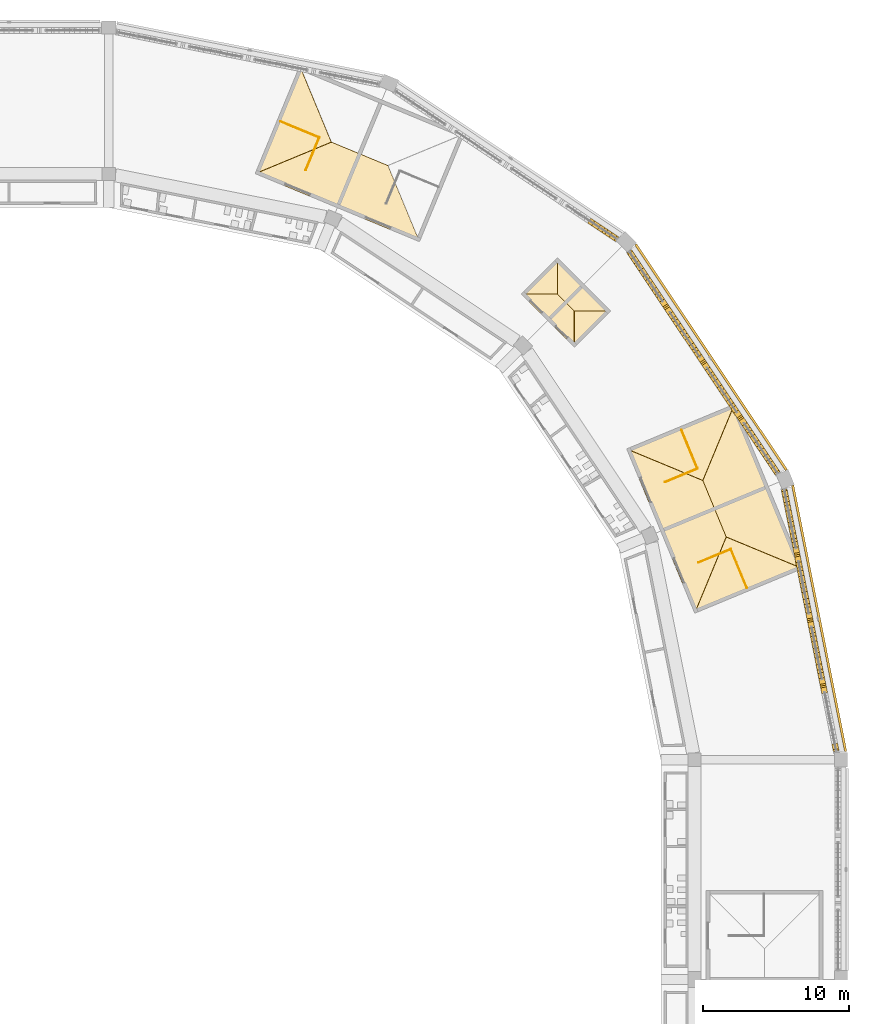
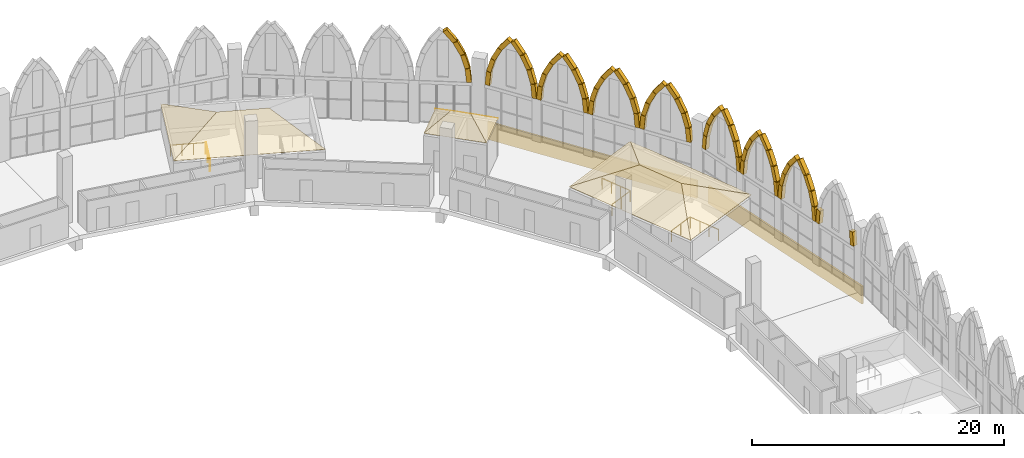
# One storey, part 120 of 130: 74 coverings, 6 railings.
"""IFC4 building model written with IfcOpenShell, lengths in metres."""

from ifc_helpers import new_model, si_unit, direction, frame, origin, origin_2d, place, context, subcontext, project, spatial, polyline, rectangle, circle, outline, extrude, material, layer, layer_set, material_profile, profile_set, type_object, element, save


model = new_model("IFC4")

# Units and contexts
model_context = context("Model", 3, precision=1e-05, world=origin(), true_north=direction((0.0, 1.0)))
body_context = subcontext(model_context, "Body", "Model", "MODEL_VIEW")
ifc_project = project(units=[si_unit("LENGTHUNIT", "METRE"), si_unit("AREAUNIT", "SQUARE_METRE"), si_unit("VOLUMEUNIT", "CUBIC_METRE"), si_unit("PLANEANGLEUNIT", "RADIAN"), si_unit("MASSUNIT", "GRAM", prefix="KILO")], contexts=[model_context])

# Site, building, storey
site_placement = place(None, origin())
site = spatial("IfcSite", under=ifc_project, at=site_placement, CompositionType="ELEMENT")
building_placement = place(site_placement, origin())
building = spatial("IfcBuilding", under=site, at=building_placement, Name="Ogive Plaza Stadium", CompositionType="ELEMENT")
storey_placement = place(building_placement, frame((0.0, 0.0, 22.5)))
storey = spatial("IfcBuildingStorey", under=building, at=storey_placement, Name="L05", CompositionType="ELEMENT", Elevation=22.5)

# Railings
ifc_material_1 = material(Name="Steel ASTM A572 Grade 50", Category="steel")
railing_type = type_object("IfcRailingType", Name="Guard 1100", PredefinedType="GUARDRAIL", material=ifc_material_1)
railing_1_placement = place(storey_placement, frame((47.4580078125, 92.764892578125, 0.0)))
element("IfcRailing", 1, at=railing_1_placement, inside=storey, type_object=railing_type, Name="Stair well guard ST38B L05", PredefinedType="GUARDRAIL", context=body_context, shape_type="SweptSolid", body=[
    extrude(circle(Radius=0.02392578125, at=origin_2d()), frame((0.0, 0.0, 1.076171875), z_axis=(0.382693194178, 0.923875488976, 0.0), x_axis=(-0.923875488976, 0.382693194178, 0.0)), (0.0, 0.0, 1.0), 2.39990234375),
    extrude(circle(Radius=0.02099609375, at=origin_2d()), origin(), (0.0, 0.0, 1.0), 1.052001953125),
    extrude(circle(Radius=0.02099609375, at=origin_2d()), frame((0.459228515625, 1.108642578125, 0.0)), (0.0, 0.0, 1.0), 1.052001953125),
    extrude(circle(Radius=0.02099609375, at=origin_2d()), frame((0.91845703125, 2.21728515625, 0.0)), (0.0, 0.0, 1.0), 1.052001953125),
])
railing_2_placement = place(storey_placement, frame((48.330322265625, 95.001220703125, 0.0)))
element("IfcRailing", 2, at=railing_2_placement, inside=storey, type_object=railing_type, Name="Stair guard ST38B L05", PredefinedType="GUARDRAIL", context=body_context, shape_type="SweptSolid", body=[
    extrude(circle(Radius=0.02392578125, at=origin_2d()), frame((0.0, 0.0, 1.076171875), z_axis=(-0.923879745429, 0.382682918336, 0.0), x_axis=(-0.382682918336, -0.923879745429, 0.0)), (0.0, 0.0, 1.0), 2.800048828125),
    extrude(circle(Radius=0.02099609375, at=origin_2d()), origin(), (0.0, 0.0, 1.0), 1.052001953125),
    extrude(circle(Radius=0.02099609375, at=origin_2d()), frame((-0.8623046875, 0.357177734375, 0.0)), (0.0, 0.0, 1.0), 1.052001953125),
    extrude(circle(Radius=0.02099609375, at=origin_2d()), frame((-1.724609375, 0.71435546875, 0.0)), (0.0, 0.0, 1.0), 1.052001953125),
    extrude(circle(Radius=0.02099609375, at=origin_2d()), frame((-2.5869140625, 1.071533203125, 0.0)), (0.0, 0.0, 1.0), 1.052001953125),
])
railing_3_placement = place(storey_placement, frame((74.264892578125, 65.9580078125, 0.0)))
element("IfcRailing", 3, at=railing_3_placement, inside=storey, type_object=railing_type, Name="Stair well guard ST40A L05", PredefinedType="GUARDRAIL", context=body_context, shape_type="SweptSolid", body=[
    extrude(circle(Radius=0.02392578125, at=origin_2d()), frame((0.0, 0.0, 1.076171875), z_axis=(0.923875488976, 0.382693194178, 0.0), x_axis=(-0.382693194178, 0.923875488976, 0.0)), (0.0, 0.0, 1.0), 2.39990234375),
    extrude(circle(Radius=0.02099609375, at=origin_2d()), origin(), (0.0, 0.0, 1.0), 1.052001953125),
    extrude(circle(Radius=0.02099609375, at=origin_2d()), frame((1.108642578125, 0.459228515625, 0.0)), (0.0, 0.0, 1.0), 1.052001953125),
    extrude(circle(Radius=0.02099609375, at=origin_2d()), frame((2.21728515625, 0.91845703125, 0.0)), (0.0, 0.0, 1.0), 1.052001953125),
])
railing_4_placement = place(storey_placement, frame((77.57275390625, 64.243408203125, 0.0)))
element("IfcRailing", 4, at=railing_4_placement, inside=storey, type_object=railing_type, Name="Stair guard ST40A L05", PredefinedType="GUARDRAIL", context=body_context, shape_type="SweptSolid", body=[
    extrude(circle(Radius=0.02392578125, at=origin_2d()), frame((0.0, 0.0, 1.076171875), z_axis=(-0.382682918336, 0.923879745429, 0.0), x_axis=(-0.923879745429, -0.382682918336, 0.0)), (0.0, 0.0, 1.0), 2.800048828125),
    extrude(circle(Radius=0.02099609375, at=origin_2d()), origin(), (0.0, 0.0, 1.0), 1.052001953125),
    extrude(circle(Radius=0.02099609375, at=origin_2d()), frame((-0.357177734375, 0.8623046875, 0.0)), (0.0, 0.0, 1.0), 1.052001953125),
    extrude(circle(Radius=0.02099609375, at=origin_2d()), frame((-0.71435546875, 1.724609375, 0.0)), (0.0, 0.0, 1.0), 1.052001953125),
    extrude(circle(Radius=0.02099609375, at=origin_2d()), frame((-1.071533203125, 2.5869140625, 0.0)), (0.0, 0.0, 1.0), 1.052001953125),
])
railing_5_placement = place(storey_placement, frame((71.98779296875, 71.455078125, 0.0)))
element("IfcRailing", 5, at=railing_5_placement, inside=storey, type_object=railing_type, Name="Stair well guard ST40B L05", PredefinedType="GUARDRAIL", context=body_context, shape_type="SweptSolid", body=[
    extrude(circle(Radius=0.02392578125, at=origin_2d()), frame((0.0, 0.0, 1.076171875), z_axis=(0.923875488976, 0.382693194178, 0.0), x_axis=(-0.382693194178, 0.923875488976, 0.0)), (0.0, 0.0, 1.0), 2.39990234375),
    extrude(circle(Radius=0.02099609375, at=origin_2d()), origin(), (0.0, 0.0, 1.0), 1.052001953125),
    extrude(circle(Radius=0.02099609375, at=origin_2d()), frame((1.108642578125, 0.459228515625, 0.0)), (0.0, 0.0, 1.0), 1.052001953125),
    extrude(circle(Radius=0.02099609375, at=origin_2d()), frame((2.21728515625, 0.91845703125, 0.0)), (0.0, 0.0, 1.0), 1.052001953125),
])
railing_6_placement = place(storey_placement, frame((74.18603515625, 72.419921875, 0.0)))
element("IfcRailing", 6, at=railing_6_placement, inside=storey, type_object=railing_type, Name="Stair guard ST40B L05", PredefinedType="GUARDRAIL", context=body_context, shape_type="SweptSolid", body=[
    extrude(circle(Radius=0.02392578125, at=origin_2d()), frame((0.0, 0.0, 1.076171875), z_axis=(-0.382713747376, 0.92386697504, 0.0), x_axis=(-0.92386697504, -0.382713747376, 0.0)), (0.0, 0.0, 1.0), 2.7998046875),
    extrude(circle(Radius=0.02099609375, at=origin_2d()), origin(), (0.0, 0.0, 1.0), 1.052001953125),
    extrude(circle(Radius=0.02099609375, at=origin_2d()), frame((-0.357177734375, 0.8623046875, 0.0)), (0.0, 0.0, 1.0), 1.052001953125),
    extrude(circle(Radius=0.02099609375, at=origin_2d()), frame((-0.71435546875, 1.724365234375, 0.0)), (0.0, 0.0, 1.0), 1.052001953125),
    extrude(circle(Radius=0.02099609375, at=origin_2d()), frame((-1.071533203125, 2.586669921875, 0.0)), (0.0, 0.0, 1.0), 1.052001953125),
])

# Coverings
ifc_material_2 = material(Name="Zinc sheet", Category="metal")
ifc_layer_1 = layer(ifc_material_2, 0.030029296875)
ifc_layer_set_1 = layer_set([ifc_layer_1], Name="Overrun roof zinc 30")
covering_type_1 = type_object("IfcCoveringType", Name="Overrun roof zinc 30", PredefinedType="ROOFING", material=ifc_layer_set_1)
covering_1_placement = place(storey_placement, frame((68.277099609375, 83.135498046875, 3.6240234375), z_axis=(0.42167717057, 0.42167717057, 0.802730794003), x_axis=(-0.707106781187, 0.707106781187, 0.0)))
element("IfcCovering", 7, at=covering_1_placement, inside=storey, type_object=covering_type_1, Name="Lift overrun roof facet LP39 1", PredefinedType="ROOFING", context=body_context, shape_type="SweptSolid", body=[
    extrude(outline(polyline([(0.0, 0.0), (5.150002318446554, 0.0), (3.4000166151047493, 2.1800405770099553), (1.749985703341805, 2.1800405770099553), (0.0, 0.0)])), origin(), (0.0, 0.0, -1.0), 0.030029296875),
])
covering_2_placement = place(storey_placement, frame((64.635498046875, 86.777099609375, 3.6240234375), z_axis=(-0.42167717057, 0.42167717057, 0.802730794003), x_axis=(-0.707106781187, -0.707106781187, 0.0)))
element("IfcCovering", 8, at=covering_2_placement, inside=storey, type_object=covering_type_1, Name="Lift overrun roof facet LP39 2", PredefinedType="ROOFING", context=body_context, shape_type="SweptSolid", body=[
    extrude(outline(polyline([(0.0, 0.0), (3.49997140668361, 0.0), (1.749985703341805, 2.1800405770099553), (0.0, 0.0)])), origin(), (0.0, 0.0, -1.0), 0.030029296875),
])
covering_3_placement = place(storey_placement, frame((62.16064453125, 84.30224609375, 3.6240234375), z_axis=(-0.42167717057, -0.42167717057, 0.802730794003), x_axis=(0.707106781187, -0.707106781187, 0.0)))
element("IfcCovering", 9, at=covering_3_placement, inside=storey, type_object=covering_type_1, Name="Lift overrun roof facet LP39 3", PredefinedType="ROOFING", context=body_context, shape_type="SweptSolid", body=[
    extrude(outline(polyline([(0.0, 0.0), (5.150002318446554, 0.0), (3.4000166151047493, 2.1800405770099553), (1.749985703341805, 2.1800405770099553), (0.0, 0.0)])), origin(), (0.0, 0.0, -1.0), 0.030029296875),
])
covering_4_placement = place(storey_placement, frame((65.80224609375, 80.66064453125, 3.6240234375), z_axis=(0.42167717057, -0.42167717057, 0.802730794003), x_axis=(0.707106781187, 0.707106781187, 0.0)))
element("IfcCovering", 10, at=covering_4_placement, inside=storey, type_object=covering_type_1, Name="Lift overrun roof facet LP39 4", PredefinedType="ROOFING", context=body_context, shape_type="SweptSolid", body=[
    extrude(outline(polyline([(0.0, 0.0), (3.49997140668361, 0.0), (1.749985703341805, 2.1800405770099553), (0.0, 0.0)])), origin(), (0.0, 0.0, -1.0), 0.030029296875),
])
ifc_material_3 = material(Name="Cast stone (reconstituted limestone)", Category="masonry")
ifc_material_profile = material_profile(ifc_material_3, rectangle(XDim=0.39990234375, YDim=0.39990234375, at=origin_2d()), Name="Cast stone 400x400")
ifc_profile_set = profile_set([ifc_material_profile], Name="Cast stone (reconstituted limestone)")
covering_type_2 = type_object("IfcCoveringType", Name="Precast arch rib 400x400", PredefinedType="MOLDING", material=ifc_profile_set)
for number, where, z_axis, x_axis, name in (
    (11, (66.949462890625, 89.222412109375, 9.021484375), (0.504912059598, -0.337534823983, -0.794439459412), (0.555756185913, 0.83134533247, 0.0), "ARCH RIB B38 4.5"),
    (12, (67.631103515625, 88.766845703125, 7.943603515625), (0.373708858474, -0.249695353355, -0.893305054061), (0.555556508152, 0.831478782802, 0.0), "ARCH RIB B38 4.6"),
    (13, (68.134765625, 88.430419921875, 6.732421875), (0.229485815196, -0.153484858629, -0.961134048297), (0.555939132817, 0.831223002932, 0.0), "ARCH RIB B38 4.7"),
):
    element("IfcCovering", number, at=place(storey_placement, frame(where, z_axis=z_axis, x_axis=x_axis)), inside=storey, type_object=covering_type_2, Name=name, PredefinedType="MOLDING", context=body_context, shape_type="SweptSolid", body=[
        extrude(rectangle(XDim=0.39990234375, YDim=0.39990234375, at=origin_2d()), origin(), (0.0, 0.0, 1.0), 1.317138671875),
    ])
for number, where, z_axis, x_axis, name in (
    (14, (68.44287109375, 88.224609375, 5.429931640625), (0.077302627224, -0.051720462819, -0.995665253763), (0.556079282794, 0.831129250627, 0.0), "ARCH RIB B38 4.8"),
    (15, (69.656494140625, 87.044677734375, 4.11865234375), (0.051720462819, -0.077302627224, 0.995665253763), (0.831129250627, 0.556079282794, 0.0), "ARCH RIB B39 1.1"),
):
    element("IfcCovering", number, at=place(storey_placement, frame(where, z_axis=z_axis, x_axis=x_axis)), inside=storey, type_object=covering_type_2, Name=name, PredefinedType="MOLDING", context=body_context, shape_type="SweptSolid", body=[
        extrude(rectangle(XDim=0.39990234375, YDim=0.39990234375, at=origin_2d()), origin(), (0.0, 0.0, 1.0), 1.31689453125),
    ])
for number, where, z_axis, x_axis, name in (
    (16, (69.728271484375, 86.93701171875, 5.466552734375), (0.153484858629, -0.229485815196, 0.961134048297), (0.831223002932, 0.555939132817, 0.0), "ARCH RIB B39 1.2"),
    (17, (69.93798828125, 86.623291015625, 6.76708984375), (0.249695353355, -0.373708858474, 0.893305054061), (0.831478782802, 0.555556508152, 0.0), "ARCH RIB B39 1.3"),
    (18, (70.27783203125, 86.114501953125, 7.97509765625), (0.337534823983, -0.504912059598, 0.794439459412), (0.83134533247, 0.555756185913, 0.0), "ARCH RIB B39 1.4"),
    (19, (70.89892578125, 85.18505859375, 9.021484375), (0.337534823983, -0.504912059598, -0.794439459412), (0.83134533247, 0.555756185913, 0.0), "ARCH RIB B39 1.5"),
    (20, (71.3544921875, 84.50341796875, 7.943603515625), (0.249695353355, -0.373708858474, -0.893305054061), (0.831478782802, 0.555556508152, 0.0), "ARCH RIB B39 1.6"),
    (21, (71.69091796875, 83.999755859375, 6.732421875), (0.153484858629, -0.229485815196, -0.961134048297), (0.831223002932, 0.555939132817, 0.0), "ARCH RIB B39 1.7"),
):
    element("IfcCovering", number, at=place(storey_placement, frame(where, z_axis=z_axis, x_axis=x_axis)), inside=storey, type_object=covering_type_2, Name=name, PredefinedType="MOLDING", context=body_context, shape_type="SweptSolid", body=[
        extrude(rectangle(XDim=0.39990234375, YDim=0.39990234375, at=origin_2d()), origin(), (0.0, 0.0, 1.0), 1.317138671875),
    ])
for number, where, z_axis, x_axis, name in (
    (22, (71.896728515625, 83.691650390625, 5.429931640625), (0.051905342272, -0.077301884741, -0.995655690517), (0.830207968105, 0.557453791533, 0.0), "ARCH RIB B39 1.8"),
    (23, (72.188232421875, 83.255615234375, 4.11865234375), (0.051720462819, -0.077302627224, 0.995665253763), (0.831129250627, 0.556079282794, 0.0), "ARCH RIB B39 2.1"),
):
    element("IfcCovering", number, at=place(storey_placement, frame(where, z_axis=z_axis, x_axis=x_axis)), inside=storey, type_object=covering_type_2, Name=name, PredefinedType="MOLDING", context=body_context, shape_type="SweptSolid", body=[
        extrude(rectangle(XDim=0.39990234375, YDim=0.39990234375, at=origin_2d()), origin(), (0.0, 0.0, 1.0), 1.31689453125),
    ])
for number, where, z_axis, x_axis, name in (
    (24, (72.26025390625, 83.14794921875, 5.466552734375), (0.153297325513, -0.229667939915, 0.961120474949), (0.831740333912, 0.555164855646, 0.0), "ARCH RIB B39 2.2"),
    (25, (72.4697265625, 82.834228515625, 6.76708984375), (0.249869155246, -0.37369155562, 0.893263693718), (0.831288257815, 0.55584155334, 0.0), "ARCH RIB B39 2.3"),
    (26, (72.809814453125, 82.325439453125, 7.97509765625), (0.337370569381, -0.504943643404, 0.794489154049), (0.831486336441, 0.555545202762, 0.0), "ARCH RIB B39 2.4"),
    (27, (73.4306640625, 81.39599609375, 9.021484375), (0.337534823983, -0.504912059598, -0.794439459412), (0.83134533247, 0.555756185913, 0.0), "ARCH RIB B39 2.5"),
    (28, (73.88623046875, 80.71435546875, 7.943603515625), (0.249695353355, -0.373708858474, -0.893305054061), (0.831478782802, 0.555556508152, 0.0), "ARCH RIB B39 2.6"),
    (29, (74.22265625, 80.210693359375, 6.732421875), (0.153484858629, -0.229485815196, -0.961134048297), (0.831223002932, 0.555939132817, 0.0), "ARCH RIB B39 2.7"),
):
    element("IfcCovering", number, at=place(storey_placement, frame(where, z_axis=z_axis, x_axis=x_axis)), inside=storey, type_object=covering_type_2, Name=name, PredefinedType="MOLDING", context=body_context, shape_type="SweptSolid", body=[
        extrude(rectangle(XDim=0.39990234375, YDim=0.39990234375, at=origin_2d()), origin(), (0.0, 0.0, 1.0), 1.317138671875),
    ])
for number, where, z_axis, x_axis, name in (
    (30, (74.4287109375, 79.902587890625, 5.429931640625), (0.051719720781, -0.0774868935, -0.995650968873), (0.831744041741, 0.555159300588, 0.0), "ARCH RIB B39 2.8"),
    (31, (74.719970703125, 79.466552734375, 4.11865234375), (0.051720462819, -0.077302627224, 0.995665253763), (0.831129250627, 0.556079282794, 0.0), "ARCH RIB B39 3.1"),
):
    element("IfcCovering", number, at=place(storey_placement, frame(where, z_axis=z_axis, x_axis=x_axis)), inside=storey, type_object=covering_type_2, Name=name, PredefinedType="MOLDING", context=body_context, shape_type="SweptSolid", body=[
        extrude(rectangle(XDim=0.39990234375, YDim=0.39990234375, at=origin_2d()), origin(), (0.0, 0.0, 1.0), 1.31689453125),
    ])
for number, where, z_axis, x_axis, name in (
    (32, (74.7919921875, 79.35888671875, 5.466552734375), (0.153297325513, -0.229667939915, 0.961120474949), (0.831740333912, 0.555164855646, 0.0), "ARCH RIB B39 3.2"),
    (33, (75.00146484375, 79.045166015625, 6.76708984375), (0.249851844681, -0.373851016855, 0.89320180973), (0.831415590492, 0.555651073864, 0.0), "ARCH RIB B39 3.3"),
    (34, (75.341552734375, 78.536376953125, 7.97509765625), (0.337338989926, -0.505081729422, 0.794414786166), (0.831580508376, 0.555404229448, 0.0), "ARCH RIB B39 3.4"),
    (35, (75.96240234375, 77.60693359375, 9.021484375), (0.337534823983, -0.504912059598, -0.794439459412), (0.83134533247, 0.555756185913, 0.0), "ARCH RIB B39 3.5"),
    (36, (76.41796875, 76.92529296875, 7.943603515625), (0.249869155246, -0.37369155562, -0.893263693718), (0.831288257815, 0.55584155334, 0.0), "ARCH RIB B39 3.6"),
    (37, (76.75439453125, 76.421630859375, 6.732421875), (0.153484858629, -0.229485815196, -0.961134048297), (0.831223002932, 0.555939132817, 0.0), "ARCH RIB B39 3.7"),
):
    element("IfcCovering", number, at=place(storey_placement, frame(where, z_axis=z_axis, x_axis=x_axis)), inside=storey, type_object=covering_type_2, Name=name, PredefinedType="MOLDING", context=body_context, shape_type="SweptSolid", body=[
        extrude(rectangle(XDim=0.39990234375, YDim=0.39990234375, at=origin_2d()), origin(), (0.0, 0.0, 1.0), 1.317138671875),
    ])
for number, where, z_axis, x_axis, name in (
    (38, (76.96044921875, 76.113525390625, 5.429931640625), (0.051719720781, -0.0774868935, -0.995650968873), (0.831744041741, 0.555159300588, 0.0), "ARCH RIB B39 3.8"),
    (39, (77.251708984375, 75.677490234375, 4.11865234375), (0.051720462819, -0.077302627224, 0.995665253763), (0.831129250627, 0.556079282794, 0.0), "ARCH RIB B39 4.1"),
):
    element("IfcCovering", number, at=place(storey_placement, frame(where, z_axis=z_axis, x_axis=x_axis)), inside=storey, type_object=covering_type_2, Name=name, PredefinedType="MOLDING", context=body_context, shape_type="SweptSolid", body=[
        extrude(rectangle(XDim=0.39990234375, YDim=0.39990234375, at=origin_2d()), origin(), (0.0, 0.0, 1.0), 1.31689453125),
    ])
for number, where, z_axis, x_axis, name in (
    (40, (77.32373046875, 75.56982421875, 5.466552734375), (0.15347832726, -0.229661409993, 0.961093148358), (0.831430345233, 0.555628995846, 0.0), "ARCH RIB B39 4.2"),
    (41, (77.533447265625, 75.256103515625, 6.76708984375), (0.249678053229, -0.373868324694, 0.893243161478), (0.83160601404, 0.555366039124, 0.0), "ARCH RIB B39 4.3"),
):
    element("IfcCovering", number, at=place(storey_placement, frame(where, z_axis=z_axis, x_axis=x_axis)), inside=storey, type_object=covering_type_2, Name=name, PredefinedType="MOLDING", context=body_context, shape_type="SweptSolid", body=[
        extrude(rectangle(XDim=0.39990234375, YDim=0.39990234375, at=origin_2d()), origin(), (0.0, 0.0, 1.0), 1.317138671875),
    ])
covering_5_placement = place(storey_placement, frame((77.873291015625, 74.747314453125, 7.97509765625), z_axis=(0.337503233104, -0.505050142893, 0.794365105482), x_axis=(0.831439559977, 0.555615206869, 0.0)))
element("IfcCovering", 42, at=covering_5_placement, inside=storey, type_object=covering_type_2, Name="ARCH RIB B39 4.4", PredefinedType="MOLDING", context=body_context, shape_type="SweptSolid", body=[
    extrude(rectangle(XDim=0.39990234375, YDim=0.39990234375, at=origin_2d()), origin(), (0.0, 0.0, 1.0), 1.3173828125),
])
for number, where, z_axis, x_axis, name in (
    (43, (78.494384765625, 73.81787109375, 9.021484375), (0.337370569381, -0.504943643404, -0.794489154049), (0.831486336441, 0.555545202762, 0.0), "ARCH RIB B39 4.5"),
    (44, (78.94970703125, 73.13623046875, 7.943603515625), (0.249869155246, -0.37369155562, -0.893263693718), (0.831288257815, 0.55584155334, 0.0), "ARCH RIB B39 4.6"),
    (45, (79.286376953125, 72.632568359375, 6.732421875), (0.15330384955, -0.229492340681, -0.961161378376), (0.831533260563, 0.555474964851, 0.0), "ARCH RIB B39 4.7"),
):
    element("IfcCovering", number, at=place(storey_placement, frame(where, z_axis=z_axis, x_axis=x_axis)), inside=storey, type_object=covering_type_2, Name=name, PredefinedType="MOLDING", context=body_context, shape_type="SweptSolid", body=[
        extrude(rectangle(XDim=0.39990234375, YDim=0.39990234375, at=origin_2d()), origin(), (0.0, 0.0, 1.0), 1.317138671875),
    ])
for number, where, z_axis, x_axis, name in (
    (46, (79.4921875, 72.324462890625, 5.429931640625), (0.051719720781, -0.0774868935, -0.995650968873), (0.831744041741, 0.555159300588, 0.0), "ARCH RIB B39 4.8"),
    (47, (80.161865234375, 70.77001953125, 4.11865234375), (0.018167063641, -0.091206074607, 0.995666314462), (0.980733711451, 0.195349397809, 0.0), "ARCH RIB B40 1.1"),
):
    element("IfcCovering", number, at=place(storey_placement, frame(where, z_axis=z_axis, x_axis=x_axis)), inside=storey, type_object=covering_type_2, Name=name, PredefinedType="MOLDING", context=body_context, shape_type="SweptSolid", body=[
        extrude(rectangle(XDim=0.39990234375, YDim=0.39990234375, at=origin_2d()), origin(), (0.0, 0.0, 1.0), 1.31689453125),
    ])
for number, where, z_axis, x_axis, name in (
    (48, (80.187255859375, 70.64306640625, 5.466552734375), (0.053756411195, -0.270821092261, 0.961127558778), (0.980863686113, 0.194695735094, 0.0), "ARCH RIB B40 1.2"),
    (49, (80.2607421875, 70.27294921875, 6.76708984375), (0.087673612364, -0.44096305246, 0.893232849855), (0.980802041663, 0.195006038548, 0.0), "ARCH RIB B40 1.3"),
    (50, (80.380126953125, 69.6728515625, 7.97509765625), (0.118621906197, -0.595704385184, 0.794396078064), (0.980744641823, 0.195294514862, 0.0), "ARCH RIB B40 1.4"),
    (51, (80.59814453125, 68.576416015625, 9.021484375), (0.118621906197, -0.595704385184, -0.794396078064), (0.980744641823, 0.195294514862, 0.0), "ARCH RIB B40 1.5"),
    (52, (80.75830078125, 67.7724609375, 7.943603515625), (0.087673612364, -0.44096305246, -0.893232849855), (0.980802041663, 0.195006038548, 0.0), "ARCH RIB B40 1.6"),
    (53, (80.87646484375, 67.178466796875, 6.732421875), (0.053756411195, -0.270821092261, -0.961127558778), (0.980863686113, 0.194695735094, 0.0), "ARCH RIB B40 1.7"),
):
    element("IfcCovering", number, at=place(storey_placement, frame(where, z_axis=z_axis, x_axis=x_axis)), inside=storey, type_object=covering_type_2, Name=name, PredefinedType="MOLDING", context=body_context, shape_type="SweptSolid", body=[
        extrude(rectangle(XDim=0.39990234375, YDim=0.39990234375, at=origin_2d()), origin(), (0.0, 0.0, 1.0), 1.317138671875),
    ])
for number, where, z_axis, x_axis, name in (
    (54, (80.94873046875, 66.81494140625, 5.429931640625), (0.018166756175, -0.091389906065, -0.995649463436), (0.980809558385, 0.194968228644, 0.0), "ARCH RIB B40 1.8"),
    (55, (81.051025390625, 66.300537109375, 4.11865234375), (0.018166756175, -0.091389906065, 0.995649463436), (0.980809558385, 0.194968228644, 0.0), "ARCH RIB B40 2.1"),
):
    element("IfcCovering", number, at=place(storey_placement, frame(where, z_axis=z_axis, x_axis=x_axis)), inside=storey, type_object=covering_type_2, Name=name, PredefinedType="MOLDING", context=body_context, shape_type="SweptSolid", body=[
        extrude(rectangle(XDim=0.39990234375, YDim=0.39990234375, at=origin_2d()), origin(), (0.0, 0.0, 1.0), 1.31689453125),
    ])
for number, where, z_axis, x_axis, name in (
    (56, (81.076171875, 66.173583984375, 5.466552734375), (0.0539412397, -0.270818389008, 0.961117965098), (0.980735279798, 0.195341523902, 0.0), "ARCH RIB B40 2.2"),
    (57, (81.14990234375, 65.803466796875, 6.76708984375), (0.087673612364, -0.44096305246, 0.893232849855), (0.980802041663, 0.195006038548, 0.0), "ARCH RIB B40 2.3"),
    (58, (81.269287109375, 65.203369140625, 7.97509765625), (0.118439161488, -0.595717472648, 0.794413530731), (0.98080304755, 0.195000979273, 0.0), "ARCH RIB B40 2.4"),
    (59, (81.4873046875, 64.10693359375, 9.021484375), (0.118439161488, -0.595717472648, -0.794413530731), (0.98080304755, 0.195000979273, 0.0), "ARCH RIB B40 2.5"),
    (60, (81.647216796875, 63.302978515625, 7.943603515625), (0.087673612364, -0.44096305246, -0.893232849855), (0.980802041663, 0.195006038548, 0.0), "ARCH RIB B40 2.6"),
    (61, (81.765380859375, 62.708984375, 6.732421875), (0.053938531112, -0.270990146, -0.961069703837), (0.98076086931, 0.195213004767, 0.0), "ARCH RIB B40 2.7"),
):
    element("IfcCovering", number, at=place(storey_placement, frame(where, z_axis=z_axis, x_axis=x_axis)), inside=storey, type_object=covering_type_2, Name=name, PredefinedType="MOLDING", context=body_context, shape_type="SweptSolid", body=[
        extrude(rectangle(XDim=0.39990234375, YDim=0.39990234375, at=origin_2d()), origin(), (0.0, 0.0, 1.0), 1.317138671875),
    ])
for number, where, z_axis, x_axis, name in (
    (62, (81.837646484375, 62.345458984375, 5.429931640625), (0.018166756175, -0.091389906065, -0.995649463436), (0.980809558385, 0.194968228644, 0.0), "ARCH RIB B40 2.8"),
    (63, (81.93994140625, 61.8310546875, 4.11865234375), (0.018166756175, -0.091389906065, 0.995649463436), (0.980809558385, 0.194968228644, 0.0), "ARCH RIB B40 3.1"),
):
    element("IfcCovering", number, at=place(storey_placement, frame(where, z_axis=z_axis, x_axis=x_axis)), inside=storey, type_object=covering_type_2, Name=name, PredefinedType="MOLDING", context=body_context, shape_type="SweptSolid", body=[
        extrude(rectangle(XDim=0.39990234375, YDim=0.39990234375, at=origin_2d()), origin(), (0.0, 0.0, 1.0), 1.31689453125),
    ])
for number, where, z_axis, x_axis, name in (
    (64, (81.96533203125, 61.7041015625, 5.466552734375), (0.053753711834, -0.270992850695, 0.961079296071), (0.980889110032, 0.194567607325, 0.0), "ARCH RIB B40 3.2"),
    (65, (82.038818359375, 61.333984375, 6.76708984375), (0.087857539579, -0.440955879026, 0.893218319053), (0.980723115178, 0.195402587892, 0.0), "ARCH RIB B40 3.3"),
    (66, (82.158203125, 60.73388671875, 7.97509765625), (0.118621906197, -0.595704385184, 0.794396078064), (0.980744641823, 0.195294514862, 0.0), "ARCH RIB B40 3.4"),
    (67, (82.37646484375, 59.637451171875, 9.021484375), (0.118439161488, -0.595717472648, -0.794413530731), (0.98080304755, 0.195000979273, 0.0), "ARCH RIB B40 3.5"),
    (68, (82.536376953125, 58.83349609375, 7.943603515625), (0.087673612364, -0.44096305246, -0.893232849855), (0.980802041663, 0.195006038548, 0.0), "ARCH RIB B40 3.6"),
    (69, (82.654541015625, 58.2392578125, 6.732421875), (0.053756411195, -0.270821092261, -0.961127558778), (0.980863686113, 0.194695735094, 0.0), "ARCH RIB B40 3.7"),
):
    element("IfcCovering", number, at=place(storey_placement, frame(where, z_axis=z_axis, x_axis=x_axis)), inside=storey, type_object=covering_type_2, Name=name, PredefinedType="MOLDING", context=body_context, shape_type="SweptSolid", body=[
        extrude(rectangle(XDim=0.39990234375, YDim=0.39990234375, at=origin_2d()), origin(), (0.0, 0.0, 1.0), 1.317138671875),
    ])
for number, where, z_axis, x_axis, name in (
    (70, (82.726806640625, 57.875732421875, 5.429931640625), (0.018167063641, -0.091206074607, -0.995666314462), (0.980733711451, 0.195349397809, 0.0), "ARCH RIB B40 3.8"),
    (71, (82.8291015625, 57.361572265625, 4.11865234375), (0.018166756175, -0.091389906065, 0.995649463436), (0.980809558385, 0.194968228644, 0.0), "ARCH RIB B40 4.1"),
    (72, (83.61572265625, 53.40625, 5.429931640625), (0.018167063641, -0.091206074607, -0.995666314462), (0.980733711451, 0.195349397809, 0.0), "ARCH RIB B40 4.8"),
):
    element("IfcCovering", number, at=place(storey_placement, frame(where, z_axis=z_axis, x_axis=x_axis)), inside=storey, type_object=covering_type_2, Name=name, PredefinedType="MOLDING", context=body_context, shape_type="SweptSolid", body=[
        extrude(rectangle(XDim=0.39990234375, YDim=0.39990234375, at=origin_2d()), origin(), (0.0, 0.0, 1.0), 1.31689453125),
    ])
ifc_material_4 = material(Name="Cast stone (reconstituted limestone)", Category="masonry")
ifc_layer_2 = layer(ifc_material_4, 0.159912109375)
ifc_layer_set_2 = layer_set([ifc_layer_2], Name="Precast spandrel cladding 160")
covering_type_3 = type_object("IfcCoveringType", Name="Precast spandrel cladding 160", PredefinedType="CLADDING", material=ifc_layer_set_2)
covering_6_placement = place(storey_placement, frame((0.0, 0.0, -1.7099609375)))
element("IfcCovering", 73, at=covering_6_placement, inside=storey, type_object=covering_type_3, Name="SPANDREL CLADDING B39 L05", PredefinedType="CLADDING", context=body_context, shape_type="SweptSolid", body=[
    extrude(outline(polyline([(69.919189453125, 87.641357421875), (80.212158203125, 72.237060546875), (80.34521484375, 72.325927734375), (70.05224609375, 87.730224609375), (69.919189453125, 87.641357421875)])), origin(), (0.0, 0.0, 1.0), 1.7099609375),
])
covering_7_placement = place(storey_placement, frame((0.0, 0.0, -1.7099609375)))
element("IfcCovering", 74, at=covering_7_placement, inside=storey, type_object=covering_type_3, Name="SPANDREL CLADDING B40 L05", PredefinedType="CLADDING", context=body_context, shape_type="SweptSolid", body=[
    extrude(outline(polyline([(80.633056640625, 71.220703125), (84.24755859375, 53.050048828125), (84.404296875, 53.081298828125), (80.7900390625, 71.251953125), (80.633056640625, 71.220703125)])), origin(), (0.0, 0.0, 1.0), 1.7099609375),
])
ifc_material_5 = material(Name="Zinc standing seam", Category="metal")
ifc_layer_3 = layer(ifc_material_5, 0.0400390625)
ifc_layer_set_3 = layer_set([ifc_layer_3], Name="Turret roof zinc standing seam 40")
covering_type_4 = type_object("IfcCoveringType", Name="Turret roof zinc standing seam 40", PredefinedType="ROOFING", material=ifc_layer_set_3)
covering_8_placement = place(storey_placement, frame((47.047119140625, 99.873046875, 2.337158203125), z_axis=(-0.344592492718, 0.142735559778, 0.927837579502), x_axis=(-0.3826849789, -0.923878891914, 0.0)))
element("IfcCovering", 75, at=covering_8_placement, inside=storey, type_object=covering_type_4, Name="Stair core roof facet R38 2", PredefinedType="ROOFING", context=body_context, shape_type="SweptSolid", body=[
    extrude(outline(polyline([(0.0, 0.0), (7.959921988273897, 0.0), (3.9798949304268643, 4.289329931657829), (0.0, 0.0)])), origin(), (0.0, 0.0, -1.0), 0.0400390625),
])
covering_9_placement = place(storey_placement, frame((44.0009765625, 92.51904296875, 2.337158203125), z_axis=(-0.142730485777, -0.344574897807, 0.92784489449), x_axis=(0.923877384941, -0.382688617018, 6.2171e-07)))
element("IfcCovering", 76, at=covering_9_placement, inside=storey, type_object=covering_type_4, Name="Stair core roof facet R38 3", PredefinedType="ROOFING", context=body_context, shape_type="SweptSolid", body=[
    extrude(outline(polyline([(0.0, 0.0), (12.149985135718094, -4.440892098500626e-16), (8.169849970740778, 4.289525592710434), (3.979786823233329, 4.289552830466407), (0.0, 0.0)])), origin(), (0.0, 0.0, -1.0), 0.0400390625),
])
covering_10_placement = place(storey_placement, frame((81.373046875, 65.547119140625, 2.337158203125), z_axis=(0.344578310198, 0.142726326629, 0.927844267013), x_axis=(-0.382672077485, 0.923884235772, -2.269112e-06)))
element("IfcCovering", 77, at=covering_10_placement, inside=storey, type_object=covering_type_4, Name="Stair core roof facet R40 1", PredefinedType="ROOFING", context=body_context, shape_type="SweptSolid", body=[
    extrude(outline(polyline([(0.0, 0.0), (12.149891707996376, 4.440892098500626e-16), (8.169805440469636, 4.289570962722872), (3.979742294150392, 4.289471551499194), (0.0, 0.0)])), origin(), (0.0, 0.0, -1.0), 0.0400390625),
])
covering_11_placement = place(storey_placement, frame((76.7236328125, 76.772216796875, 2.337158203125), z_axis=(-0.142723109429, 0.344573873955, 0.927846409392), x_axis=(-0.923883383458, -0.382674135226, 0.0)))
element("IfcCovering", 78, at=covering_11_placement, inside=storey, type_object=covering_type_4, Name="Stair core roof facet R40 2", PredefinedType="ROOFING", context=body_context, shape_type="SweptSolid", body=[
    extrude(outline(polyline([(0.0, 0.0), (7.960147545192286, 0.0), (3.9800737725961426, 4.289582556236138), (0.0, 0.0)])), origin(), (0.0, 0.0, -1.0), 0.0400390625),
])
covering_12_placement = place(storey_placement, frame((69.369384765625, 73.72607421875, 2.337158203125), z_axis=(-0.344574897807, -0.142730485777, 0.92784489449), x_axis=(0.382688617018, -0.923877384941, -6.2171e-07)))
element("IfcCovering", 79, at=covering_12_placement, inside=storey, type_object=covering_type_4, Name="Stair core roof facet R40 3", PredefinedType="ROOFING", context=body_context, shape_type="SweptSolid", body=[
    extrude(outline(polyline([(0.0, 0.0), (12.149985135718094, 4.440892098500626e-16), (8.170198312484764, 4.289552830466407), (3.9801351649773142, 4.289525592710434), (0.0, 0.0)])), origin(), (0.0, 0.0, -1.0), 0.0400390625),
])
covering_13_placement = place(storey_placement, frame((74.01904296875, 62.5009765625, 2.337158203125), z_axis=(0.142735559778, -0.344592492718, 0.927837579502), x_axis=(0.923878891914, 0.3826849789, 0.0)))
element("IfcCovering", 80, at=covering_13_placement, inside=storey, type_object=covering_type_4, Name="Stair core roof facet R40 4", PredefinedType="ROOFING", context=body_context, shape_type="SweptSolid", body=[
    extrude(outline(polyline([(0.0, 0.0), (7.959921988273897, 0.0), (3.9800270578470336, 4.289329931657829), (0.0, 0.0)])), origin(), (0.0, 0.0, -1.0), 0.0400390625),
])

save(model, "model.ifc")
